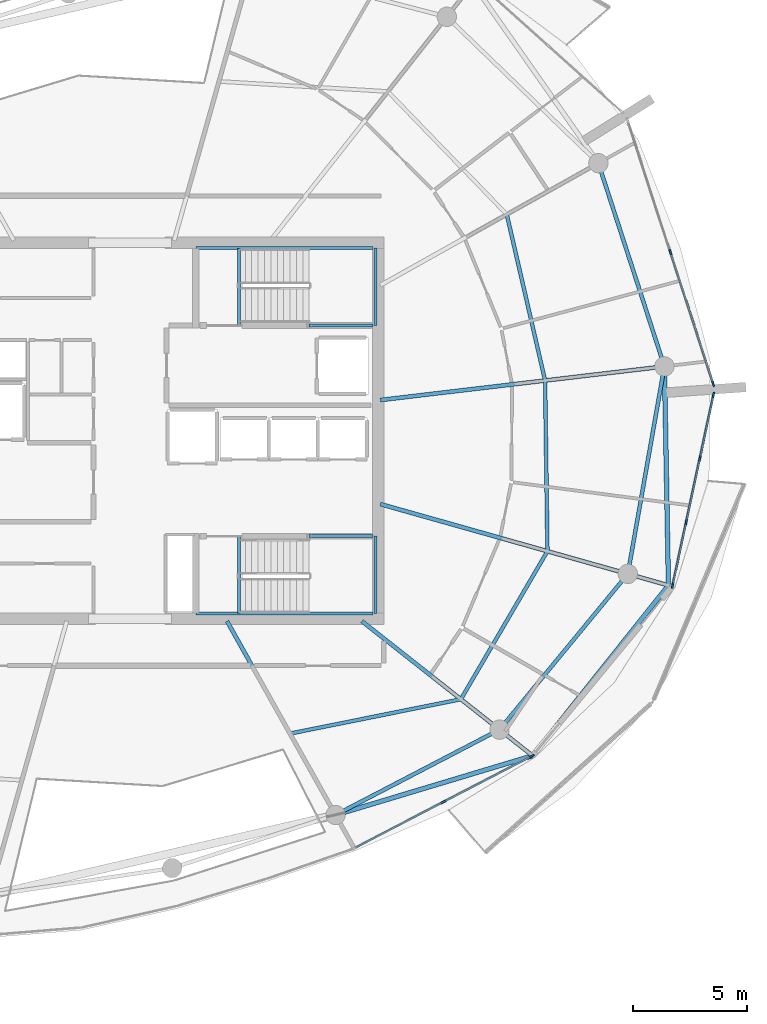
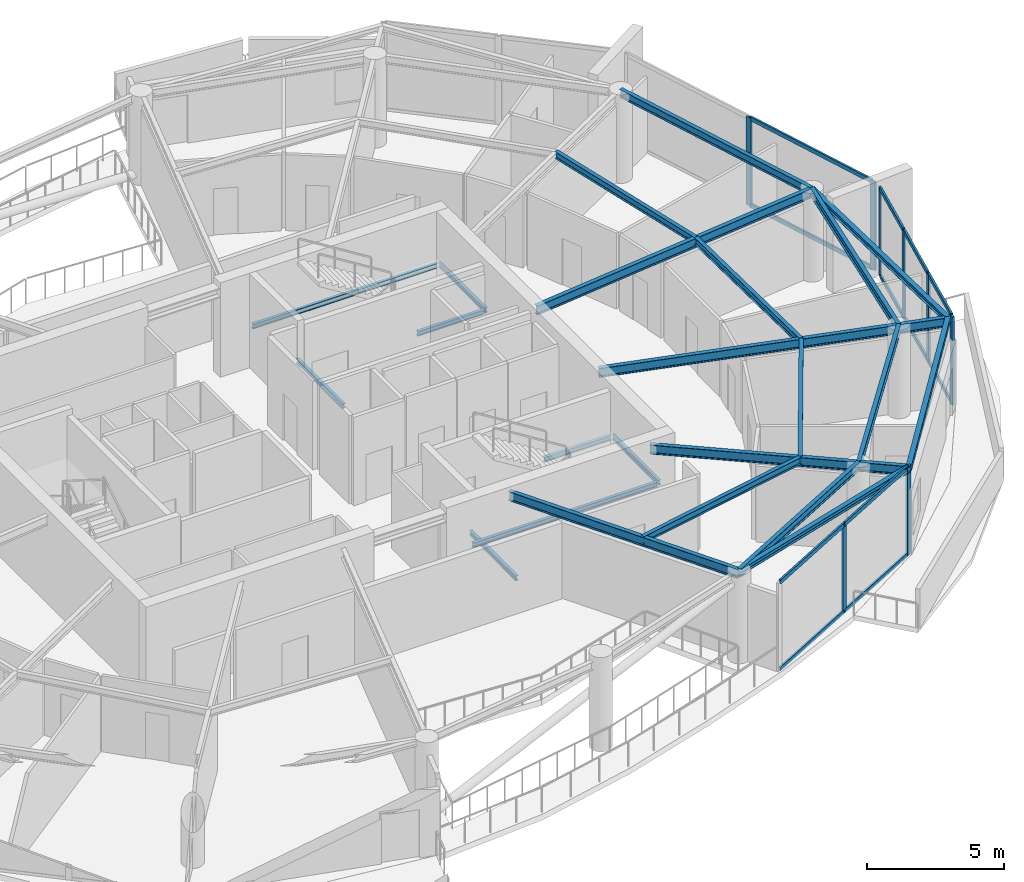
# One storey, part 6 of 22: 23 beams, 20 members, 3 elements without a shape of their own.
"""IFC4 building model written with IfcOpenShell, lengths in metres."""

from ifc_helpers import new_model, si_unit, direction, frame, origin, origin_2d, place, context, subcontext, project, spatial, rectangle, i_section, extrude, material, layer, layer_set, material_profile, profile_set, type_object, element, aggregate, save


model = new_model("IFC4")

# Units and contexts
model_context = context("Model", 3, precision=1e-05, world=origin(), true_north=direction((0.0, 1.0)))
body_context = subcontext(model_context, "Body", "Model", "MODEL_VIEW")
ifc_project = project(units=[si_unit("LENGTHUNIT", "METRE"), si_unit("AREAUNIT", "SQUARE_METRE"), si_unit("VOLUMEUNIT", "CUBIC_METRE"), si_unit("PLANEANGLEUNIT", "RADIAN"), si_unit("MASSUNIT", "GRAM", prefix="KILO")], contexts=[model_context])

# Site, building, storey
site_placement = place(None, origin())
site = spatial("IfcSite", under=ifc_project, at=site_placement, CompositionType="ELEMENT")
building_placement = place(site_placement, origin())
building = spatial("IfcBuilding", under=site, at=building_placement, Name="Kazma Halo Residences", CompositionType="ELEMENT")
storey_placement = place(building_placement, frame((0.0, 0.0, 322.10009765625)))
storey = spatial("IfcBuildingStorey", under=building, at=storey_placement, Name="L81", CompositionType="ELEMENT", Elevation=322.10009765625)

# Beams
ifc_material_1 = material(Name="Steel S355", Category="steel")
ifc_material_profile_1 = material_profile(ifc_material_1, i_section(OverallWidth=0.201904296875, OverallDepth=0.2470703125, WebThickness=0.00732421875, FlangeThickness=0.010986328125, FilletRadius=0.011962890625, at=origin_2d()), Name="W250x49.1")
ifc_profile_set_1 = profile_set([ifc_material_profile_1], Name="Steel S355")
beam_type_1 = type_object("IfcBeamType", Name="BM-BAL-CANT", PredefinedType="BEAM", material=ifc_profile_set_1)
beam_1_placement = place(storey_placement, frame((57.436767578125, 25.1494140625, 3.81640625), z_axis=(0.957652623349, 0.287926124193, 0.0), x_axis=(-0.287926124193, 0.957652623349, 0.0)))
element("IfcBeam", 1, at=beam_1_placement, inside=storey, type_object=beam_type_1, Name="L81 wave-balcony lead tie beam 13", PredefinedType="BEAM", context=body_context, shape_type="SweptSolid", body=[
    extrude(i_section(OverallWidth=0.201904296875, OverallDepth=0.2470703125, WebThickness=0.00732421875, FlangeThickness=0.010986328125, FilletRadius=0.011962890625, at=origin_2d()), origin(), (0.0, 0.0, 1.0), 9.0244140625),
])
beam_2_placement = place(storey_placement, frame((66.0791015625, 27.747802734375, 3.81640625), z_axis=(0.623310870646, 0.781974141858, 0.0), x_axis=(-0.781974141858, 0.623310870646, 0.0)))
element("IfcBeam", 2, at=beam_2_placement, inside=storey, type_object=beam_type_1, Name="L81 wave-balcony tie beam 14", PredefinedType="BEAM", context=body_context, shape_type="SweptSolid", body=[
    extrude(i_section(OverallWidth=0.201904296875, OverallDepth=0.2470703125, WebThickness=0.00732421875, FlangeThickness=0.010986328125, FilletRadius=0.011962890625, at=origin_2d()), origin(), (0.0, 0.0, 1.0), 9.55712890625),
])
beam_3_placement = place(storey_placement, frame((72.0361328125, 35.22119140625, 3.81640625), z_axis=(-0.018301708623, 0.999832509704, 0.0), x_axis=(-0.999832509704, -0.018301708623, 0.0)))
element("IfcBeam", 3, at=beam_3_placement, inside=storey, type_object=beam_type_1, Name="L81 wave-balcony tie beam 15", PredefinedType="BEAM", context=body_context, shape_type="SweptSolid", body=[
    extrude(i_section(OverallWidth=0.201904296875, OverallDepth=0.2470703125, WebThickness=0.00732421875, FlangeThickness=0.010986328125, FilletRadius=0.011962890625, at=origin_2d()), origin(), (0.0, 0.0, 1.0), 9.604736328125),
])
ifc_material_profile_2 = material_profile(ifc_material_1, i_section(OverallWidth=0.177978515625, OverallDepth=0.406982421875, WebThickness=0.0078125, FlangeThickness=0.0126953125, FilletRadius=0.013916015625, at=origin_2d()), Name="W410x60")
ifc_profile_set_2 = profile_set([ifc_material_profile_2], Name="Steel S355")
beam_type_2 = type_object("IfcBeamType", Name="BM-RAD-W410", PredefinedType="BEAM", material=ifc_profile_set_2)
beam_4_placement = place(storey_placement, frame((52.67626953125, 33.64990234375, 3.736328125), z_axis=(0.488620919127, -0.872496187608, 0.0), x_axis=(0.872496187608, 0.488620919127, 0.0)))
element("IfcBeam", 4, at=beam_4_placement, inside=storey, type_object=beam_type_2, Name="L81 radial floor beam 13", PredefinedType="BEAM", context=body_context, shape_type="SweptSolid", body=[
    extrude(i_section(OverallWidth=0.177978515625, OverallDepth=0.406982421875, WebThickness=0.0078125, FlangeThickness=0.0126953125, FilletRadius=0.013916015625, at=origin_2d()), origin(), (0.0, 0.0, 1.0), 9.74267578125),
])
beam_5_placement = place(storey_placement, frame((58.591796875, 33.64990234375, 3.736328125), z_axis=(0.785338117696, -0.619067073017, 0.0), x_axis=(0.619067073017, 0.785338117696, 0.0)))
element("IfcBeam", 5, at=beam_5_placement, inside=storey, type_object=beam_type_2, Name="L81 radial floor beam 14", PredefinedType="BEAM", context=body_context, shape_type="SweptSolid", body=[
    extrude(i_section(OverallWidth=0.177978515625, OverallDepth=0.406982421875, WebThickness=0.0078125, FlangeThickness=0.0126953125, FilletRadius=0.013916015625, at=origin_2d()), origin(), (0.0, 0.0, 1.0), 9.533935546875),
])
beam_6_placement = place(storey_placement, frame((59.39990234375, 38.784912109375, 3.736328125), z_axis=(0.962456527183, -0.271435873243, 0.0), x_axis=(0.271435873243, 0.962456527183, 0.0)))
element("IfcBeam", 6, at=beam_6_placement, inside=storey, type_object=beam_type_2, Name="L81 radial floor beam 15", PredefinedType="BEAM", context=body_context, shape_type="SweptSolid", body=[
    extrude(i_section(OverallWidth=0.177978515625, OverallDepth=0.406982421875, WebThickness=0.0078125, FlangeThickness=0.0126953125, FilletRadius=0.013916015625, at=origin_2d()), origin(), (0.0, 0.0, 1.0), 13.129150390625),
])
beam_7_placement = place(storey_placement, frame((59.39990234375, 43.349365234375, 3.736328125), z_axis=(0.993067878665, 0.117542283299, 0.0), x_axis=(-0.117542283299, 0.993067878665, 0.0)))
element("IfcBeam", 7, at=beam_7_placement, inside=storey, type_object=beam_type_2, Name="L81 radial floor beam 16", PredefinedType="BEAM", context=body_context, shape_type="SweptSolid", body=[
    extrude(i_section(OverallWidth=0.177978515625, OverallDepth=0.406982421875, WebThickness=0.0078125, FlangeThickness=0.0126953125, FilletRadius=0.013916015625, at=origin_2d()), origin(), (0.0, 0.0, 1.0), 12.54736328125),
])
ifc_material_profile_3 = material_profile(ifc_material_1, i_section(OverallWidth=0.1650390625, OverallDepth=0.31005859375, WebThickness=0.005859375, FlangeThickness=0.009765625, FilletRadius=0.011962890625, at=origin_2d()), Name="W310x38.7")
ifc_profile_set_3 = profile_set([ifc_material_profile_3], Name="Steel S355")
beam_type_3 = type_object("IfcBeamType", Name="BM-SEC-W310B", PredefinedType="JOIST", material=ifc_profile_set_3)
beam_8_placement = place(storey_placement, frame((55.437255859375, 28.719482421875, 3.784912109375), z_axis=(0.980381248206, 0.197110649551, 0.0), x_axis=(-0.197110649551, 0.980381248206, 0.0)))
element("IfcBeam", 8, at=beam_8_placement, inside=storey, type_object=beam_type_3, Name="L81 circumferential floor joist 13", PredefinedType="JOIST", context=body_context, shape_type="SweptSolid", body=[
    extrude(i_section(OverallWidth=0.1650390625, OverallDepth=0.31005859375, WebThickness=0.005859375, FlangeThickness=0.009765625, FilletRadius=0.011962890625, at=origin_2d()), origin(), (0.0, 0.0, 1.0), 7.647216796875),
])
beam_9_placement = place(storey_placement, frame((62.934326171875, 30.226806640625, 3.784912109375), z_axis=(0.504678344784, 0.863307458734, 0.0), x_axis=(-0.863307458734, 0.504678344784, 0.0)))
element("IfcBeam", 9, at=beam_9_placement, inside=storey, type_object=beam_type_3, Name="L81 circumferential floor joist 14", PredefinedType="JOIST", context=body_context, shape_type="SweptSolid", body=[
    extrude(i_section(OverallWidth=0.1650390625, OverallDepth=0.31005859375, WebThickness=0.005859375, FlangeThickness=0.009765625, FilletRadius=0.011962890625, at=origin_2d()), origin(), (0.0, 0.0, 1.0), 7.51904296875),
])
beam_10_placement = place(storey_placement, frame((66.72900390625, 36.718017578125, 3.784912109375), z_axis=(-0.013629909387, 0.999907108471, 0.0), x_axis=(-0.999907108471, -0.013629909387, 0.0)))
element("IfcBeam", 10, at=beam_10_placement, inside=storey, type_object=beam_type_3, Name="L81 circumferential floor joist 15", PredefinedType="JOIST", context=body_context, shape_type="SweptSolid", body=[
    extrude(i_section(OverallWidth=0.1650390625, OverallDepth=0.31005859375, WebThickness=0.005859375, FlangeThickness=0.009765625, FilletRadius=0.011962890625, at=origin_2d()), origin(), (0.0, 0.0, 1.0), 7.4873046875),
])
beam_11_placement = place(storey_placement, frame((66.626953125, 44.20458984375, 3.784912109375), z_axis=(-0.224709269338, 0.974425853656, 0.0), x_axis=(-0.974425853656, -0.224709269338, 0.0)))
element("IfcBeam", 11, at=beam_11_placement, inside=storey, type_object=beam_type_3, Name="L81 circumferential floor joist 16", PredefinedType="JOIST", context=body_context, shape_type="SweptSolid", body=[
    extrude(i_section(OverallWidth=0.1650390625, OverallDepth=0.31005859375, WebThickness=0.005859375, FlangeThickness=0.009765625, FilletRadius=0.011962890625, at=origin_2d()), origin(), (0.0, 0.0, 1.0), 7.47705078125),
])
ifc_material_profile_4 = material_profile(ifc_material_1, i_section(OverallWidth=0.1708984375, OverallDepth=0.35498046875, WebThickness=0.007080078125, FlangeThickness=0.01171875, FilletRadius=0.013916015625, at=origin_2d()), Name="W360x51")
ifc_profile_set_4 = profile_set([ifc_material_profile_4], Name="Steel S355")
beam_type_4 = type_object("IfcBeamType", Name="BM-SPN-W360", PredefinedType="BEAM", material=ifc_profile_set_4)
beam_12_placement = place(storey_placement, frame((57.436767578125, 25.1494140625, 3.762451171875), z_axis=(0.886957269655, 0.461851493238, 0.0), x_axis=(-0.461851493238, 0.886957269655, 0.0)))
element("IfcBeam", 12, at=beam_12_placement, inside=storey, type_object=beam_type_4, Name="L81 perimeter ring beam 13", PredefinedType="BEAM", context=body_context, shape_type="SweptSolid", body=[
    extrude(i_section(OverallWidth=0.1708984375, OverallDepth=0.35498046875, WebThickness=0.007080078125, FlangeThickness=0.01171875, FilletRadius=0.013916015625, at=origin_2d()), origin(), (0.0, 0.0, 1.0), 8.105712890625),
])
beam_13_placement = place(storey_placement, frame((64.626220703125, 28.89306640625, 3.762451171875), z_axis=(0.636004986424, 0.771684946881, 0.0), x_axis=(-0.771684946881, 0.636004986424, 0.0)))
element("IfcBeam", 13, at=beam_13_placement, inside=storey, type_object=beam_type_4, Name="L81 perimeter ring beam 14", PredefinedType="BEAM", context=body_context, shape_type="SweptSolid", body=[
    extrude(i_section(OverallWidth=0.1708984375, OverallDepth=0.35498046875, WebThickness=0.007080078125, FlangeThickness=0.01171875, FilletRadius=0.013916015625, at=origin_2d()), origin(), (0.0, 0.0, 1.0), 8.85107421875),
])
beam_14_placement = place(storey_placement, frame((70.255615234375, 35.723388671875, 3.762451171875), z_axis=(0.173649692956, 0.984807485825, 0.0), x_axis=(-0.984807485825, 0.173649692956, 0.0)))
element("IfcBeam", 14, at=beam_14_placement, inside=storey, type_object=beam_type_4, Name="L81 perimeter ring beam 15", PredefinedType="BEAM", context=body_context, shape_type="SweptSolid", body=[
    extrude(i_section(OverallWidth=0.1708984375, OverallDepth=0.35498046875, WebThickness=0.007080078125, FlangeThickness=0.01171875, FilletRadius=0.013916015625, at=origin_2d()), origin(), (0.0, 0.0, 1.0), 9.2412109375),
])
beam_15_placement = place(storey_placement, frame((71.8603515625, 44.82421875, 3.762451171875), z_axis=(-0.309023062674, 0.951054544564, 0.0), x_axis=(-0.951054544564, -0.309023062674, 0.0)))
element("IfcBeam", 15, at=beam_15_placement, inside=storey, type_object=beam_type_4, Name="L81 perimeter ring beam 16", PredefinedType="BEAM", context=body_context, shape_type="SweptSolid", body=[
    extrude(i_section(OverallWidth=0.1708984375, OverallDepth=0.35498046875, WebThickness=0.007080078125, FlangeThickness=0.01171875, FilletRadius=0.013916015625, at=origin_2d()), origin(), (0.0, 0.0, 1.0), 9.37451171875),
])
ifc_material_profile_5 = material_profile(ifc_material_1, i_section(OverallWidth=0.133056640625, OverallDepth=0.20703125, WebThickness=0.005859375, FlangeThickness=0.00830078125, FilletRadius=0.010009765625, at=origin_2d()), Name="W200x26.6")
ifc_profile_set_5 = profile_set([ifc_material_profile_5], Name="Steel S355")
beam_type_5 = type_object("IfcBeamType", Name="BM-TRIM-W200", PredefinedType="BEAM", material=ifc_profile_set_5)
for number, where, z_axis, x_axis, name in (
    (16, (53.199951171875, 46.6201171875, -0.3701171875), (0.0, 1.0, 0.0), (-1.0, 0.0, 0.0), "L81 ST-02 floor landing support beam"),
    (17, (53.199951171875, 34.0, -0.3701171875), (0.0, 1.0, 0.0), (-1.0, 0.0, 0.0), "L81 ST-03 floor landing support beam"),
):
    element("IfcBeam", number, at=place(storey_placement, frame(where, z_axis=z_axis, x_axis=x_axis)), inside=storey, type_object=beam_type_5, Name=name, PredefinedType="BEAM", context=body_context, shape_type="SweptSolid", body=[
        extrude(i_section(OverallWidth=0.133056640625, OverallDepth=0.20703125, WebThickness=0.005859375, FlangeThickness=0.00830078125, FilletRadius=0.010009765625, at=origin_2d()), origin(), (0.0, 0.0, 1.0), 3.3798828125),
    ])
beam_16_placement = place(storey_placement, frame((51.31005859375, 50.02001953125, 1.794921875), z_axis=(1.0, 0.0, 0.0), x_axis=(0.0, 1.0, 0.0)))
element("IfcBeam", 18, at=beam_16_placement, inside=storey, type_object=beam_type_5, Name="L81 ST-02 landing north wall ledger", PredefinedType="BEAM", context=body_context, shape_type="SweptSolid", body=[
    extrude(i_section(OverallWidth=0.133056640625, OverallDepth=0.20703125, WebThickness=0.005859375, FlangeThickness=0.00830078125, FilletRadius=0.010009765625, at=origin_2d()), origin(), (0.0, 0.0, 1.0), 7.760009765625),
])
beam_17_placement = place(storey_placement, frame((56.280029296875, 46.6201171875, 1.794921875), z_axis=(1.0, 0.0, 0.0), x_axis=(0.0, 1.0, 0.0)))
element("IfcBeam", 19, at=beam_17_placement, inside=storey, type_object=beam_type_5, Name="L81 ST-02 landing south wall ledger", PredefinedType="BEAM", context=body_context, shape_type="SweptSolid", body=[
    extrude(i_section(OverallWidth=0.133056640625, OverallDepth=0.20703125, WebThickness=0.005859375, FlangeThickness=0.00830078125, FilletRadius=0.010009765625, at=origin_2d()), origin(), (0.0, 0.0, 1.0), 2.7900390625),
])
beam_18_placement = place(storey_placement, frame((59.18994140625, 46.6201171875, 1.794921875), z_axis=(0.0, 1.0, 0.0), x_axis=(-1.0, 0.0, 0.0)))
element("IfcBeam", 20, at=beam_18_placement, inside=storey, type_object=beam_type_5, Name="L81 ST-02 landing end wall ledger", PredefinedType="BEAM", context=body_context, shape_type="SweptSolid", body=[
    extrude(i_section(OverallWidth=0.133056640625, OverallDepth=0.20703125, WebThickness=0.005859375, FlangeThickness=0.00830078125, FilletRadius=0.010009765625, at=origin_2d()), origin(), (0.0, 0.0, 1.0), 3.39990234375),
])
beam_19_placement = place(storey_placement, frame((51.31005859375, 33.97998046875, 1.794921875), z_axis=(1.0, 0.0, 0.0), x_axis=(0.0, 1.0, 0.0)))
element("IfcBeam", 21, at=beam_19_placement, inside=storey, type_object=beam_type_5, Name="L81 ST-03 landing south wall ledger", PredefinedType="BEAM", context=body_context, shape_type="SweptSolid", body=[
    extrude(i_section(OverallWidth=0.133056640625, OverallDepth=0.20703125, WebThickness=0.005859375, FlangeThickness=0.00830078125, FilletRadius=0.010009765625, at=origin_2d()), origin(), (0.0, 0.0, 1.0), 7.760009765625),
])
beam_20_placement = place(storey_placement, frame((56.280029296875, 37.3798828125, 1.794921875), z_axis=(1.0, 0.0, 0.0), x_axis=(0.0, 1.0, 0.0)))
element("IfcBeam", 22, at=beam_20_placement, inside=storey, type_object=beam_type_5, Name="L81 ST-03 landing north wall ledger", PredefinedType="BEAM", context=body_context, shape_type="SweptSolid", body=[
    extrude(i_section(OverallWidth=0.133056640625, OverallDepth=0.20703125, WebThickness=0.005859375, FlangeThickness=0.00830078125, FilletRadius=0.010009765625, at=origin_2d()), origin(), (0.0, 0.0, 1.0), 2.7900390625),
])
beam_21_placement = place(storey_placement, frame((59.18994140625, 33.97998046875, 1.794921875), z_axis=(0.0, 1.0, 0.0), x_axis=(-1.0, 0.0, 0.0)))
element("IfcBeam", 23, at=beam_21_placement, inside=storey, type_object=beam_type_5, Name="L81 ST-03 landing end wall ledger", PredefinedType="BEAM", context=body_context, shape_type="SweptSolid", body=[
    extrude(i_section(OverallWidth=0.133056640625, OverallDepth=0.20703125, WebThickness=0.005859375, FlangeThickness=0.00830078125, FilletRadius=0.010009765625, at=origin_2d()), origin(), (0.0, 0.0, 1.0), 3.39990234375),
])

# Curtain wall, members
ifc_material_2 = material(Name="Aluminium AW-6063 T6 and Triple-Silver Low-E Glass", Category="aluminium")
ifc_layer = layer(ifc_material_2, 0.239990234375)
ifc_layer_set = layer_set([ifc_layer], Name="Aluminium AW-6063 T6 and Triple-Silver Low-E Glass")
curtain_wall_type = type_object("IfcCurtainWallType", Name="CW-SYS-6", PredefinedType="NOTDEFINED", material=ifc_layer_set)
curtain_wall_1_placement = place(storey_placement, origin())
curtain_wall_1 = element("IfcCurtainWall", 24, at=curtain_wall_1_placement, inside=storey, type_object=curtain_wall_type, Name="L81 unitised curtain wall B13", PredefinedType="NOTDEFINED")
ifc_material_3 = material(Name="Aluminium AW-6063 T6", Category="aluminium")
ifc_material_profile_6 = material_profile(ifc_material_3, rectangle(XDim=0.080078125, YDim=0.239990234375, at=origin_2d()), Name="CWM-80x240")
ifc_profile_set_6 = profile_set([ifc_material_profile_6], Name="Aluminium AW-6063 T6")
member_type_1 = type_object("IfcMemberType", Name="CW-SYS-6-MUL", PredefinedType="MULLION", material=ifc_profile_set_6)
member_1_placement = place(storey_placement, frame((62.16552734375, 25.71923828125, 0.0), z_axis=(0.0, 0.0, 1.0), x_axis=(-0.460796020861, 0.887506071618, 0.0)))
member_1 = element("IfcMember", 25, at=member_1_placement, type_object=member_type_1, Name="CWS-6 mullion 2", PredefinedType="MULLION", context=body_context, shape_type="SweptSolid", body=[
    extrude(rectangle(XDim=0.080078125, YDim=0.239990234375, at=origin_2d()), origin(), (0.0, 0.0, 1.0), 3.93994140625),
])
member_2_placement = place(storey_placement, frame((66.041015625, 27.731201171875, 0.0), z_axis=(0.0, 0.0, 1.0), x_axis=(-0.460796020861, 0.887506071618, 0.0)))
member_2 = element("IfcMember", 26, at=member_2_placement, type_object=member_type_1, Name="CWS-6 mullion 3", PredefinedType="MULLION", context=body_context, shape_type="SweptSolid", body=[
    extrude(rectangle(XDim=0.080078125, YDim=0.239990234375, at=origin_2d()), origin(), (0.0, 0.0, 1.0), 3.93994140625),
])

curtain_wall_2_placement = place(storey_placement, origin())
curtain_wall_2 = element("IfcCurtainWall", 27, at=curtain_wall_2_placement, inside=storey, type_object=curtain_wall_type, Name="L81 unitised curtain wall B15", PredefinedType="NOTDEFINED")
member_3_placement = place(storey_placement, frame((72.2158203125, 35.2119140625, 0.0), z_axis=(0.0, 0.0, 1.0), x_axis=(-0.977760865363, 0.209722888986, 0.0)))
member_3 = element("IfcMember", 28, at=member_3_placement, type_object=member_type_1, Name="CWS-6 mullion 1", PredefinedType="MULLION", context=body_context, shape_type="SweptSolid", body=[
    extrude(rectangle(XDim=0.080078125, YDim=0.239990234375, at=origin_2d()), origin(), (0.0, 0.0, 1.0), 3.93994140625),
])
member_4_placement = place(storey_placement, frame((72.81103515625, 37.986572265625, 0.0), z_axis=(0.0, 0.0, 1.0), x_axis=(-0.977760865363, 0.209722888986, 0.0)))
member_4 = element("IfcMember", 29, at=member_4_placement, type_object=member_type_1, Name="CWS-6 mullion 2", PredefinedType="MULLION", context=body_context, shape_type="SweptSolid", body=[
    extrude(rectangle(XDim=0.080078125, YDim=0.239990234375, at=origin_2d()), origin(), (0.0, 0.0, 1.0), 3.93994140625),
])
member_5_placement = place(storey_placement, frame((73.41455078125, 40.80029296875, 0.0), z_axis=(0.0, 0.0, 1.0), x_axis=(-0.977760865363, 0.209722888986, 0.0)))
member_5 = element("IfcMember", 30, at=member_5_placement, type_object=member_type_1, Name="CWS-6 mullion 3", PredefinedType="MULLION", context=body_context, shape_type="SweptSolid", body=[
    extrude(rectangle(XDim=0.080078125, YDim=0.239990234375, at=origin_2d()), origin(), (0.0, 0.0, 1.0), 3.93994140625),
])
member_6_placement = place(storey_placement, frame((74.009765625, 43.574951171875, 0.0), z_axis=(0.0, 0.0, 1.0), x_axis=(-0.977760865363, 0.209722888986, 0.0)))
member_6 = element("IfcMember", 31, at=member_6_placement, type_object=member_type_1, Name="CWS-6 mullion 4", PredefinedType="MULLION", context=body_context, shape_type="SweptSolid", body=[
    extrude(rectangle(XDim=0.080078125, YDim=0.239990234375, at=origin_2d()), origin(), (0.0, 0.0, 1.0), 3.93994140625),
])

curtain_wall_3_placement = place(storey_placement, origin())
curtain_wall_3 = element("IfcCurtainWall", 32, at=curtain_wall_3_placement, inside=storey, type_object=curtain_wall_type, Name="L81 unitised curtain wall B16", PredefinedType="NOTDEFINED")
member_7_placement = place(storey_placement, frame((73.9990234375, 44.062255859375, 0.0), z_axis=(0.0, 0.0, 1.0), x_axis=(-0.951055886462, -0.309018932797, 0.0)))
member_7 = element("IfcMember", 33, at=member_7_placement, type_object=member_type_1, Name="CWS-6 mullion 1", PredefinedType="MULLION", context=body_context, shape_type="SweptSolid", body=[
    extrude(rectangle(XDim=0.080078125, YDim=0.239990234375, at=origin_2d()), origin(), (0.0, 0.0, 1.0), 3.93994140625),
])
member_8_placement = place(storey_placement, frame((72.12255859375, 49.837890625, 0.0), z_axis=(0.0, 0.0, 1.0), x_axis=(-0.951055886462, -0.309018932797, 0.0)))
member_8 = element("IfcMember", 34, at=member_8_placement, type_object=member_type_1, Name="CWS-6 mullion 2", PredefinedType="MULLION", context=body_context, shape_type="SweptSolid", body=[
    extrude(rectangle(XDim=0.080078125, YDim=0.239990234375, at=origin_2d()), origin(), (0.0, 0.0, 1.0), 3.93994140625),
])

# Member
ifc_material_profile_7 = material_profile(ifc_material_3, rectangle(XDim=0.080078125, YDim=0.179931640625, at=origin_2d()), Name="CWT-80x180")
ifc_profile_set_7 = profile_set([ifc_material_profile_7], Name="Aluminium AW-6063 T6")
member_type_2 = type_object("IfcMemberType", Name="CW-SYS-6-TRN", PredefinedType="USERDEFINED", material=ifc_profile_set_7)
member_9_placement = place(storey_placement, frame((58.32568359375, 23.7255859375, 0.039794921875), z_axis=(0.88752339951, 0.460762645321, 0.0), x_axis=(-0.460762645321, 0.88752339951, 0.0)))
member_9 = element("IfcMember", 35, at=member_9_placement, type_object=member_type_2, Name="CWS-6 transom 1.1", ObjectType="TRANSOM", PredefinedType="USERDEFINED", context=body_context, shape_type="SweptSolid", body=[
    extrude(rectangle(XDim=0.080078125, YDim=0.179931640625, at=origin_2d()), origin(), (0.0, 0.0, 1.0), 4.28662109375),
])

member_10_placement = place(storey_placement, frame((58.32568359375, 23.7255859375, 3.89990234375), z_axis=(0.88752339951, 0.460762645321, 0.0), x_axis=(-0.460762645321, 0.88752339951, 0.0)))
member_10 = element("IfcMember", 36, at=member_10_placement, type_object=member_type_2, Name="CWS-6 transom 1.2", ObjectType="TRANSOM", PredefinedType="USERDEFINED", context=body_context, shape_type="SweptSolid", body=[
    extrude(rectangle(XDim=0.080078125, YDim=0.179931640625, at=origin_2d()), origin(), (0.0, 0.0, 1.0), 4.28662109375),
])

member_11_placement = place(storey_placement, frame((62.201171875, 25.737548828125, 0.039794921875), z_axis=(0.887488013571, 0.4608307995, 0.0), x_axis=(-0.4608307995, 0.887488013571, 0.0)))
member_11 = element("IfcMember", 37, at=member_11_placement, type_object=member_type_2, Name="CWS-6 transom 2.1", ObjectType="TRANSOM", PredefinedType="USERDEFINED", context=body_context, shape_type="SweptSolid", body=[
    extrude(rectangle(XDim=0.080078125, YDim=0.179931640625, at=origin_2d()), origin(), (0.0, 0.0, 1.0), 4.286376953125),
])

member_12_placement = place(storey_placement, frame((62.201171875, 25.737548828125, 3.89990234375), z_axis=(0.887488013571, 0.4608307995, 0.0), x_axis=(-0.4608307995, 0.887488013571, 0.0)))
member_12 = element("IfcMember", 38, at=member_12_placement, type_object=member_type_2, Name="CWS-6 transom 2.2", ObjectType="TRANSOM", PredefinedType="USERDEFINED", context=body_context, shape_type="SweptSolid", body=[
    extrude(rectangle(XDim=0.080078125, YDim=0.179931640625, at=origin_2d()), origin(), (0.0, 0.0, 1.0), 4.286376953125),
])

aggregate(curtain_wall_1, [member_1, member_2, member_9, member_10, member_11, member_12])

member_13_placement = place(storey_placement, frame((72.224365234375, 35.2509765625, 0.039794921875), z_axis=(0.209716499477, 0.977762235846, 0.0), x_axis=(-0.977762235846, 0.209716499477, 0.0)))
member_13 = element("IfcMember", 39, at=member_13_placement, type_object=member_type_2, Name="CWS-6 transom 1.1", ObjectType="TRANSOM", PredefinedType="USERDEFINED", context=body_context, shape_type="SweptSolid", body=[
    extrude(rectangle(XDim=0.080078125, YDim=0.179931640625, at=origin_2d()), origin(), (0.0, 0.0, 1.0), 2.7578125),
])

member_14_placement = place(storey_placement, frame((72.224365234375, 35.2509765625, 3.89990234375), z_axis=(0.209716499477, 0.977762235846, 0.0), x_axis=(-0.977762235846, 0.209716499477, 0.0)))
member_14 = element("IfcMember", 40, at=member_14_placement, type_object=member_type_2, Name="CWS-6 transom 1.2", ObjectType="TRANSOM", PredefinedType="USERDEFINED", context=body_context, shape_type="SweptSolid", body=[
    extrude(rectangle(XDim=0.080078125, YDim=0.179931640625, at=origin_2d()), origin(), (0.0, 0.0, 1.0), 2.7578125),
])

member_15_placement = place(storey_placement, frame((72.8193359375, 38.025634765625, 0.039794921875), z_axis=(0.209773410621, 0.977750027459, 0.0), x_axis=(-0.977750027459, 0.209773410621, 0.0)))
member_15 = element("IfcMember", 41, at=member_15_placement, type_object=member_type_2, Name="CWS-6 transom 2.1", ObjectType="TRANSOM", PredefinedType="USERDEFINED", context=body_context, shape_type="SweptSolid", body=[
    extrude(rectangle(XDim=0.080078125, YDim=0.179931640625, at=origin_2d()), origin(), (0.0, 0.0, 1.0), 2.7978515625),
])

member_16_placement = place(storey_placement, frame((72.8193359375, 38.025634765625, 3.89990234375), z_axis=(0.209773410621, 0.977750027459, 0.0), x_axis=(-0.977750027459, 0.209773410621, 0.0)))
member_16 = element("IfcMember", 42, at=member_16_placement, type_object=member_type_2, Name="CWS-6 transom 2.2", ObjectType="TRANSOM", PredefinedType="USERDEFINED", context=body_context, shape_type="SweptSolid", body=[
    extrude(rectangle(XDim=0.080078125, YDim=0.179931640625, at=origin_2d()), origin(), (0.0, 0.0, 1.0), 2.7978515625),
])

member_17_placement = place(storey_placement, frame((73.4228515625, 40.83935546875, 0.039794921875), z_axis=(0.209716499477, 0.977762235846, 0.0), x_axis=(-0.977762235846, 0.209716499477, 0.0)))
member_17 = element("IfcMember", 43, at=member_17_placement, type_object=member_type_2, Name="CWS-6 transom 3.1", ObjectType="TRANSOM", PredefinedType="USERDEFINED", context=body_context, shape_type="SweptSolid", body=[
    extrude(rectangle(XDim=0.080078125, YDim=0.179931640625, at=origin_2d()), origin(), (0.0, 0.0, 1.0), 2.7578125),
])

member_18_placement = place(storey_placement, frame((73.4228515625, 40.83935546875, 3.89990234375), z_axis=(0.209716499477, 0.977762235846, 0.0), x_axis=(-0.977762235846, 0.209716499477, 0.0)))
member_18 = element("IfcMember", 44, at=member_18_placement, type_object=member_type_2, Name="CWS-6 transom 3.2", ObjectType="TRANSOM", PredefinedType="USERDEFINED", context=body_context, shape_type="SweptSolid", body=[
    extrude(rectangle(XDim=0.080078125, YDim=0.179931640625, at=origin_2d()), origin(), (0.0, 0.0, 1.0), 2.7578125),
])

aggregate(curtain_wall_2, [member_3, member_4, member_5, member_6, member_13, member_14, member_15, member_16, member_17, member_18])

member_19_placement = place(storey_placement, frame((73.986572265625, 44.100341796875, 0.039794921875), z_axis=(-0.309007770724, 0.951059513191, 0.0), x_axis=(-0.951059513191, -0.309007770724, 0.0)))
member_19 = element("IfcMember", 45, at=member_19_placement, type_object=member_type_2, Name="CWS-6 transom 1.1", ObjectType="TRANSOM", PredefinedType="USERDEFINED", context=body_context, shape_type="SweptSolid", body=[
    extrude(rectangle(XDim=0.080078125, YDim=0.179931640625, at=origin_2d()), origin(), (0.0, 0.0, 1.0), 5.99267578125),
])

member_20_placement = place(storey_placement, frame((73.986572265625, 44.100341796875, 3.89990234375), z_axis=(-0.309007770724, 0.951059513191, 0.0), x_axis=(-0.951059513191, -0.309007770724, 0.0)))
member_20 = element("IfcMember", 46, at=member_20_placement, type_object=member_type_2, Name="CWS-6 transom 1.2", ObjectType="TRANSOM", PredefinedType="USERDEFINED", context=body_context, shape_type="SweptSolid", body=[
    extrude(rectangle(XDim=0.080078125, YDim=0.179931640625, at=origin_2d()), origin(), (0.0, 0.0, 1.0), 5.99267578125),
])

aggregate(curtain_wall_3, [member_7, member_8, member_19, member_20])

save(model, "model.ifc")
